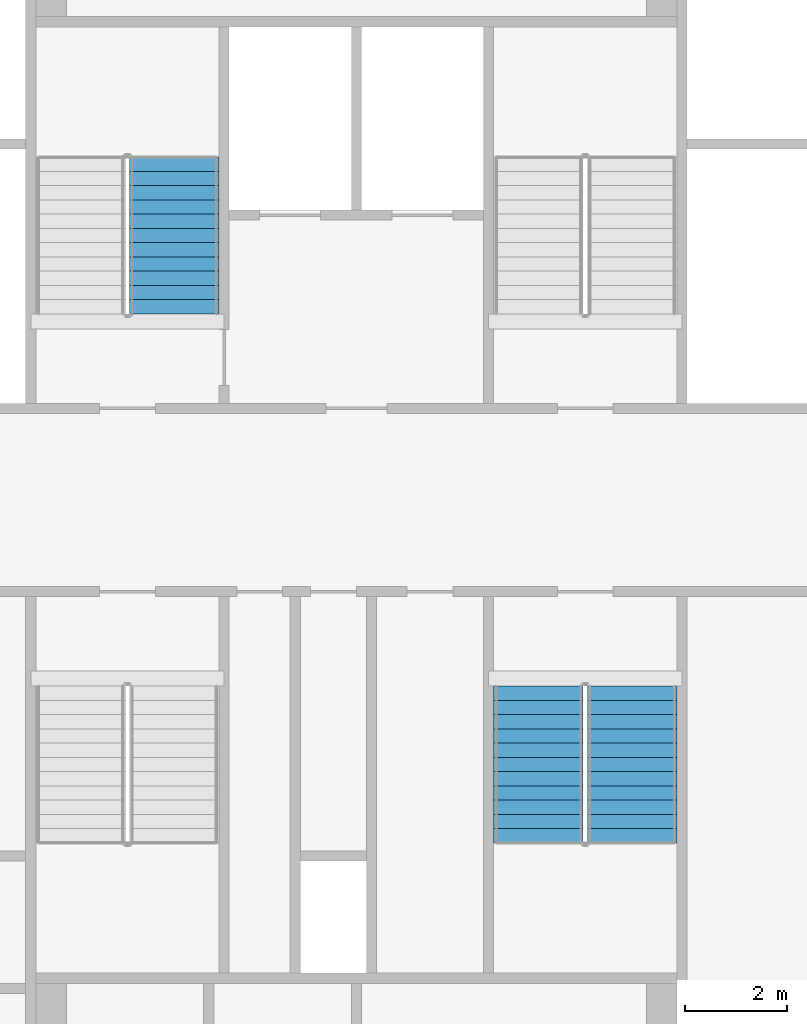
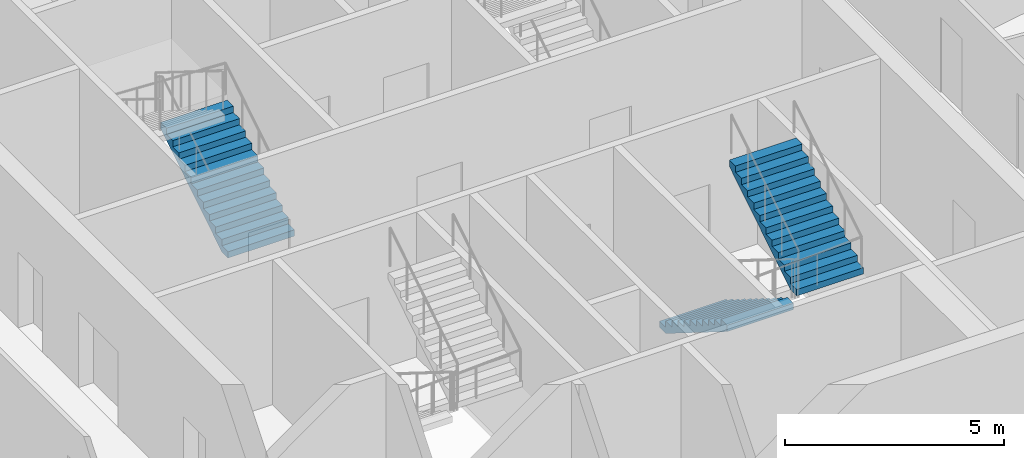
# One storey, part 29 of 35: 3 stair flights, 2 elements without a shape of their own.
"""IFC4 building model written with IfcOpenShell, lengths in metres."""

from ifc_helpers import new_model, si_unit, direction, frame, origin, place, context, subcontext, project, spatial, faceted_brep, material, type_object, element, aggregate, save


model = new_model("IFC4")

# Units and contexts
model_context = context("Model", 3, precision=1e-05, world=origin(), true_north=direction((0.0, 1.0)))
body_context = subcontext(model_context, "Body", "Model", "MODEL_VIEW")
ifc_project = project(units=[si_unit("LENGTHUNIT", "METRE"), si_unit("AREAUNIT", "SQUARE_METRE"), si_unit("VOLUMEUNIT", "CUBIC_METRE"), si_unit("PLANEANGLEUNIT", "RADIAN"), si_unit("MASSUNIT", "GRAM", prefix="KILO")], contexts=[model_context])

# Site, building, storey
site_placement = place(None, origin())
site = spatial("IfcSite", under=ifc_project, at=site_placement, CompositionType="ELEMENT")
building_placement = place(site_placement, origin())
building = spatial("IfcBuilding", under=site, at=building_placement, Name="Tarsis Ring Headquarters", CompositionType="ELEMENT")
storey_placement = place(building_placement, frame((0.0, 0.0, 360.800048828125)))
storey = spatial("IfcBuildingStorey", under=building, at=storey_placement, Name="L85", CompositionType="ELEMENT", Elevation=360.800048828125)

# Stair, stair flight
ifc_material_1 = material(Name="Core stair 1760")
stair_type = type_object("IfcStairType", Name="Core stair 1760", PredefinedType="HALF_TURN_STAIR", material=ifc_material_1)
stair_1_placement = place(storey_placement, origin())
stair_1 = element("IfcStair", 1, at=stair_1_placement, inside=storey, type_object=stair_type, Name="L85 Firefighting stair", PredefinedType="HALF_TURN_STAIR")
ifc_material_2 = material(Name="Concrete C40/50", Category="concrete")
stair_flight_type = type_object("IfcStairFlightType", Name="Core stair flight 1760", PredefinedType="STRAIGHT", material=ifc_material_2)
stair_flight_1_placement = place(storey_placement, frame((-3.580078125, 3.659912109375, 0.0), z_axis=(0.0, 0.0, 1.0), x_axis=(0.0, 1.0, 0.0)))
stair_flight_1 = element("IfcStairFlight", 2, at=stair_flight_1_placement, type_object=stair_flight_type, Name="Stair ST1 flight 1", NumberOfRisers=12, NumberOfTreads=11, PredefinedType="STRAIGHT", RiserHeight=0.175, TreadLength=0.28, context=body_context, shape_type="Brep", body=[
    faceted_brep([(0.0, 0.8798828125, 0.0), (0.0, 0.8798828125, 0.175048828125), (0.280029296875, 0.8798828125, 0.175048828125), (0.280029296875, 0.8798828125, 0.35009765625), (0.56005859375, 0.8798828125, 0.35009765625), (0.56005859375, 0.8798828125, 0.52490234375), (0.840087890625, 0.8798828125, 0.52490234375), (0.840087890625, 0.8798828125, 0.699951171875), (1.1201171875, 0.8798828125, 0.699951171875), (1.1201171875, 0.8798828125, 0.875), (1.39990234375, 0.8798828125, 0.875), (1.39990234375, 0.8798828125, 1.050048828125), (1.679931640625, 0.8798828125, 1.050048828125), (1.679931640625, 0.8798828125, 1.22509765625), (1.9599609375, 0.8798828125, 1.22509765625), (1.9599609375, 0.8798828125, 1.39990234375), (2.239990234375, 0.8798828125, 1.39990234375), (2.239990234375, 0.8798828125, 1.574951171875), (2.52001953125, 0.8798828125, 1.574951171875), (2.52001953125, 0.8798828125, 1.75), (2.800048828125, 0.8798828125, 1.75), (2.800048828125, 0.8798828125, 1.925048828125), (3.080078125, 0.8798828125, 1.925048828125), (3.080078125, 0.8798828125, 1.748291015625), (0.28271484375, 0.8798828125, 0.0), (0.28271484375, -0.8798828125, 0.0), (3.080078125, -0.8798828125, 1.748291015625), (3.080078125, -0.8798828125, 1.925048828125), (2.800048828125, -0.8798828125, 1.925048828125), (2.800048828125, -0.8798828125, 1.75), (2.52001953125, -0.8798828125, 1.75), (2.52001953125, -0.8798828125, 1.574951171875), (2.239990234375, -0.8798828125, 1.574951171875), (2.239990234375, -0.8798828125, 1.39990234375), (1.9599609375, -0.8798828125, 1.39990234375), (1.9599609375, -0.8798828125, 1.22509765625), (1.679931640625, -0.8798828125, 1.22509765625), (1.679931640625, -0.8798828125, 1.050048828125), (1.39990234375, -0.8798828125, 1.050048828125), (1.39990234375, -0.8798828125, 0.875), (1.1201171875, -0.8798828125, 0.875), (1.1201171875, -0.8798828125, 0.699951171875), (0.840087890625, -0.8798828125, 0.699951171875), (0.840087890625, -0.8798828125, 0.52490234375), (0.56005859375, -0.8798828125, 0.52490234375), (0.56005859375, -0.8798828125, 0.35009765625), (0.280029296875, -0.8798828125, 0.35009765625), (0.280029296875, -0.8798828125, 0.175048828125), (0.0, -0.8798828125, 0.175048828125), (0.0, -0.8798828125, 0.0), (0.0, -0.43994140625, 0.175048828125), (0.0, -0.43994140625, 0.0), (0.0, 0.0, 0.175048828125), (0.0, 0.0, 0.0), (0.0, 0.43994140625, 0.175048828125), (0.0, 0.43994140625, 0.0), (0.280029296875, -0.43994140625, 0.175048828125), (0.280029296875, 0.0, 0.175048828125), (0.280029296875, 0.43994140625, 0.175048828125), (0.280029296875, -0.43994140625, 0.35009765625), (0.280029296875, 0.0, 0.35009765625), (0.280029296875, 0.43994140625, 0.35009765625), (0.56005859375, -0.43994140625, 0.35009765625), (0.56005859375, 0.0, 0.35009765625), (0.56005859375, 0.43994140625, 0.35009765625), (0.56005859375, -0.43994140625, 0.52490234375), (0.56005859375, 0.0, 0.52490234375), (0.56005859375, 0.43994140625, 0.52490234375), (0.840087890625, -0.43994140625, 0.52490234375), (0.840087890625, 0.0, 0.52490234375), (0.840087890625, 0.43994140625, 0.52490234375), (0.840087890625, -0.43994140625, 0.699951171875), (0.840087890625, 0.0, 0.699951171875), (0.840087890625, 0.43994140625, 0.699951171875), (1.1201171875, -0.43994140625, 0.699951171875), (1.1201171875, 0.0, 0.699951171875), (1.1201171875, 0.43994140625, 0.699951171875), (1.1201171875, -0.43994140625, 0.875), (1.1201171875, 0.0, 0.875), (1.1201171875, 0.43994140625, 0.875), (1.39990234375, -0.43994140625, 0.875), (1.39990234375, 0.0, 0.875), (1.39990234375, 0.43994140625, 0.875), (1.39990234375, -0.43994140625, 1.050048828125), (1.39990234375, 0.0, 1.050048828125), (1.39990234375, 0.43994140625, 1.050048828125), (1.679931640625, -0.43994140625, 1.050048828125), (1.679931640625, 0.0, 1.050048828125), (1.679931640625, 0.43994140625, 1.050048828125), (1.679931640625, -0.43994140625, 1.22509765625), (1.679931640625, 0.0, 1.22509765625), (1.679931640625, 0.43994140625, 1.22509765625), (1.9599609375, -0.43994140625, 1.22509765625), (1.9599609375, 0.0, 1.22509765625), (1.9599609375, 0.43994140625, 1.22509765625), (1.9599609375, -0.43994140625, 1.39990234375), (1.9599609375, 0.0, 1.39990234375), (1.9599609375, 0.43994140625, 1.39990234375), (2.239990234375, -0.43994140625, 1.39990234375), (2.239990234375, 0.0, 1.39990234375), (2.239990234375, 0.43994140625, 1.39990234375), (2.239990234375, -0.43994140625, 1.574951171875), (2.239990234375, 0.0, 1.574951171875), (2.239990234375, 0.43994140625, 1.574951171875), (2.52001953125, -0.43994140625, 1.574951171875), (2.52001953125, 0.0, 1.574951171875), (2.52001953125, 0.43994140625, 1.574951171875), (2.52001953125, -0.43994140625, 1.75), (2.52001953125, 0.0, 1.75), (2.52001953125, 0.43994140625, 1.75), (2.800048828125, -0.43994140625, 1.75), (2.800048828125, 0.0, 1.75), (2.800048828125, 0.43994140625, 1.75), (2.800048828125, -0.43994140625, 1.925048828125), (2.800048828125, 0.0, 1.925048828125), (2.800048828125, 0.43994140625, 1.925048828125), (3.080078125, -0.43994140625, 1.925048828125), (3.080078125, 0.0, 1.925048828125), (3.080078125, 0.43994140625, 1.925048828125), (3.080078125, -0.43994140625, 1.748291015625), (3.080078125, 0.0, 1.748291015625), (3.080078125, 0.43994140625, 1.748291015625), (0.28271484375, -0.43994140625, 0.0), (0.28271484375, 0.0, 0.0), (0.28271484375, 0.43994140625, 0.0)], [[[0, 1, 2, 3, 4, 5, 6, 7, 8, 9, 10, 11, 12, 13, 14, 15, 16, 17, 18, 19, 20, 21, 22, 23, 24]], [[25, 26, 27, 28, 29, 30, 31, 32, 33, 34, 35, 36, 37, 38, 39, 40, 41, 42, 43, 44, 45, 46, 47, 48, 49]], [[49, 48, 50, 51]], [[51, 50, 52, 53]], [[53, 52, 54, 55]], [[55, 54, 1, 0]], [[48, 47, 56, 50]], [[50, 56, 57, 52]], [[52, 57, 58, 54]], [[54, 58, 2, 1]], [[47, 46, 59, 56]], [[56, 59, 60, 57]], [[57, 60, 61, 58]], [[58, 61, 3, 2]], [[46, 45, 62, 59]], [[59, 62, 63, 60]], [[60, 63, 64, 61]], [[61, 64, 4, 3]], [[45, 44, 65, 62]], [[62, 65, 66, 63]], [[63, 66, 67, 64]], [[64, 67, 5, 4]], [[44, 43, 68, 65]], [[65, 68, 69, 66]], [[66, 69, 70, 67]], [[67, 70, 6, 5]], [[43, 42, 71, 68]], [[68, 71, 72, 69]], [[69, 72, 73, 70]], [[70, 73, 7, 6]], [[42, 41, 74, 71]], [[71, 74, 75, 72]], [[72, 75, 76, 73]], [[73, 76, 8, 7]], [[41, 40, 77, 74]], [[74, 77, 78, 75]], [[75, 78, 79, 76]], [[76, 79, 9, 8]], [[40, 39, 80, 77]], [[77, 80, 81, 78]], [[78, 81, 82, 79]], [[79, 82, 10, 9]], [[39, 38, 83, 80]], [[80, 83, 84, 81]], [[81, 84, 85, 82]], [[82, 85, 11, 10]], [[38, 37, 86, 83]], [[83, 86, 87, 84]], [[84, 87, 88, 85]], [[85, 88, 12, 11]], [[37, 36, 89, 86]], [[86, 89, 90, 87]], [[87, 90, 91, 88]], [[88, 91, 13, 12]], [[36, 35, 92, 89]], [[89, 92, 93, 90]], [[90, 93, 94, 91]], [[91, 94, 14, 13]], [[35, 34, 95, 92]], [[92, 95, 96, 93]], [[93, 96, 97, 94]], [[94, 97, 15, 14]], [[34, 33, 98, 95]], [[95, 98, 99, 96]], [[96, 99, 100, 97]], [[97, 100, 16, 15]], [[33, 32, 101, 98]], [[98, 101, 102, 99]], [[99, 102, 103, 100]], [[100, 103, 17, 16]], [[32, 31, 104, 101]], [[101, 104, 105, 102]], [[102, 105, 106, 103]], [[103, 106, 18, 17]], [[31, 30, 107, 104]], [[104, 107, 108, 105]], [[105, 108, 109, 106]], [[106, 109, 19, 18]], [[30, 29, 110, 107]], [[107, 110, 111, 108]], [[108, 111, 112, 109]], [[109, 112, 20, 19]], [[29, 28, 113, 110]], [[110, 113, 114, 111]], [[111, 114, 115, 112]], [[112, 115, 21, 20]], [[28, 27, 116, 113]], [[113, 116, 117, 114]], [[114, 117, 118, 115]], [[115, 118, 22, 21]], [[27, 26, 119, 116]], [[116, 119, 120, 117]], [[117, 120, 121, 118]], [[118, 121, 23, 22]], [[26, 25, 122, 119]], [[119, 122, 123, 120]], [[120, 123, 124, 121]], [[121, 124, 24, 23]], [[25, 49, 51, 122]], [[122, 51, 53, 123]], [[123, 53, 55, 124]], [[124, 55, 0, 24]]]),
])
aggregate(stair_1, [stair_flight_1])

# Stair, stair flights
stair_2_placement = place(storey_placement, origin())
stair_2 = element("IfcStair", 3, at=stair_2_placement, inside=storey, type_object=stair_type, Name="L85 Exit stair D", PredefinedType="HALF_TURN_STAIR")
stair_flight_2_placement = place(storey_placement, frame((3.580078125, -3.659912109375, 0.0), z_axis=(0.0, 0.0, 1.0), x_axis=(0.0, -1.0, 0.0)))
stair_flight_2 = element("IfcStairFlight", 4, at=stair_flight_2_placement, type_object=stair_flight_type, Name="Stair ST4 flight 1", NumberOfRisers=12, NumberOfTreads=11, PredefinedType="STRAIGHT", RiserHeight=0.175, TreadLength=0.28, context=body_context, shape_type="Brep", body=[
    faceted_brep([(0.0, 0.8798828125, 0.0), (0.0, 0.8798828125, 0.175048828125), (0.280029296875, 0.8798828125, 0.175048828125), (0.280029296875, 0.8798828125, 0.35009765625), (0.56005859375, 0.8798828125, 0.35009765625), (0.56005859375, 0.8798828125, 0.52490234375), (0.840087890625, 0.8798828125, 0.52490234375), (0.840087890625, 0.8798828125, 0.699951171875), (1.1201171875, 0.8798828125, 0.699951171875), (1.1201171875, 0.8798828125, 0.875), (1.39990234375, 0.8798828125, 0.875), (1.39990234375, 0.8798828125, 1.050048828125), (1.679931640625, 0.8798828125, 1.050048828125), (1.679931640625, 0.8798828125, 1.22509765625), (1.9599609375, 0.8798828125, 1.22509765625), (1.9599609375, 0.8798828125, 1.39990234375), (2.239990234375, 0.8798828125, 1.39990234375), (2.239990234375, 0.8798828125, 1.574951171875), (2.52001953125, 0.8798828125, 1.574951171875), (2.52001953125, 0.8798828125, 1.75), (2.800048828125, 0.8798828125, 1.75), (2.800048828125, 0.8798828125, 1.925048828125), (3.080078125, 0.8798828125, 1.925048828125), (3.080078125, 0.8798828125, 1.748291015625), (0.28271484375, 0.8798828125, 0.0), (0.28271484375, -0.8798828125, 0.0), (3.080078125, -0.8798828125, 1.748291015625), (3.080078125, -0.8798828125, 1.925048828125), (2.800048828125, -0.8798828125, 1.925048828125), (2.800048828125, -0.8798828125, 1.75), (2.52001953125, -0.8798828125, 1.75), (2.52001953125, -0.8798828125, 1.574951171875), (2.239990234375, -0.8798828125, 1.574951171875), (2.239990234375, -0.8798828125, 1.39990234375), (1.9599609375, -0.8798828125, 1.39990234375), (1.9599609375, -0.8798828125, 1.22509765625), (1.679931640625, -0.8798828125, 1.22509765625), (1.679931640625, -0.8798828125, 1.050048828125), (1.39990234375, -0.8798828125, 1.050048828125), (1.39990234375, -0.8798828125, 0.875), (1.1201171875, -0.8798828125, 0.875), (1.1201171875, -0.8798828125, 0.699951171875), (0.840087890625, -0.8798828125, 0.699951171875), (0.840087890625, -0.8798828125, 0.52490234375), (0.56005859375, -0.8798828125, 0.52490234375), (0.56005859375, -0.8798828125, 0.35009765625), (0.280029296875, -0.8798828125, 0.35009765625), (0.280029296875, -0.8798828125, 0.175048828125), (0.0, -0.8798828125, 0.175048828125), (0.0, -0.8798828125, 0.0), (0.0, -0.43994140625, 0.175048828125), (0.0, -0.43994140625, 0.0), (0.0, 0.0, 0.175048828125), (0.0, 0.0, 0.0), (0.0, 0.43994140625, 0.175048828125), (0.0, 0.43994140625, 0.0), (0.280029296875, -0.43994140625, 0.175048828125), (0.280029296875, 0.0, 0.175048828125), (0.280029296875, 0.43994140625, 0.175048828125), (0.280029296875, -0.43994140625, 0.35009765625), (0.280029296875, 0.0, 0.35009765625), (0.280029296875, 0.43994140625, 0.35009765625), (0.56005859375, -0.43994140625, 0.35009765625), (0.56005859375, 0.0, 0.35009765625), (0.56005859375, 0.43994140625, 0.35009765625), (0.56005859375, -0.43994140625, 0.52490234375), (0.56005859375, 0.0, 0.52490234375), (0.56005859375, 0.43994140625, 0.52490234375), (0.840087890625, -0.43994140625, 0.52490234375), (0.840087890625, 0.0, 0.52490234375), (0.840087890625, 0.43994140625, 0.52490234375), (0.840087890625, -0.43994140625, 0.699951171875), (0.840087890625, 0.0, 0.699951171875), (0.840087890625, 0.43994140625, 0.699951171875), (1.1201171875, -0.43994140625, 0.699951171875), (1.1201171875, 0.0, 0.699951171875), (1.1201171875, 0.43994140625, 0.699951171875), (1.1201171875, -0.43994140625, 0.875), (1.1201171875, 0.0, 0.875), (1.1201171875, 0.43994140625, 0.875), (1.39990234375, -0.43994140625, 0.875), (1.39990234375, 0.0, 0.875), (1.39990234375, 0.43994140625, 0.875), (1.39990234375, -0.43994140625, 1.050048828125), (1.39990234375, 0.0, 1.050048828125), (1.39990234375, 0.43994140625, 1.050048828125), (1.679931640625, -0.43994140625, 1.050048828125), (1.679931640625, 0.0, 1.050048828125), (1.679931640625, 0.43994140625, 1.050048828125), (1.679931640625, -0.43994140625, 1.22509765625), (1.679931640625, 0.0, 1.22509765625), (1.679931640625, 0.43994140625, 1.22509765625), (1.9599609375, -0.43994140625, 1.22509765625), (1.9599609375, 0.0, 1.22509765625), (1.9599609375, 0.43994140625, 1.22509765625), (1.9599609375, -0.43994140625, 1.39990234375), (1.9599609375, 0.0, 1.39990234375), (1.9599609375, 0.43994140625, 1.39990234375), (2.239990234375, -0.43994140625, 1.39990234375), (2.239990234375, 0.0, 1.39990234375), (2.239990234375, 0.43994140625, 1.39990234375), (2.239990234375, -0.43994140625, 1.574951171875), (2.239990234375, 0.0, 1.574951171875), (2.239990234375, 0.43994140625, 1.574951171875), (2.52001953125, -0.43994140625, 1.574951171875), (2.52001953125, 0.0, 1.574951171875), (2.52001953125, 0.43994140625, 1.574951171875), (2.52001953125, -0.43994140625, 1.75), (2.52001953125, 0.0, 1.75), (2.52001953125, 0.43994140625, 1.75), (2.800048828125, -0.43994140625, 1.75), (2.800048828125, 0.0, 1.75), (2.800048828125, 0.43994140625, 1.75), (2.800048828125, -0.43994140625, 1.925048828125), (2.800048828125, 0.0, 1.925048828125), (2.800048828125, 0.43994140625, 1.925048828125), (3.080078125, -0.43994140625, 1.925048828125), (3.080078125, 0.0, 1.925048828125), (3.080078125, 0.43994140625, 1.925048828125), (3.080078125, -0.43994140625, 1.748291015625), (3.080078125, 0.0, 1.748291015625), (3.080078125, 0.43994140625, 1.748291015625), (0.28271484375, -0.43994140625, 0.0), (0.28271484375, 0.0, 0.0), (0.28271484375, 0.43994140625, 0.0)], [[[0, 1, 2, 3, 4, 5, 6, 7, 8, 9, 10, 11, 12, 13, 14, 15, 16, 17, 18, 19, 20, 21, 22, 23, 24]], [[25, 26, 27, 28, 29, 30, 31, 32, 33, 34, 35, 36, 37, 38, 39, 40, 41, 42, 43, 44, 45, 46, 47, 48, 49]], [[49, 48, 50, 51]], [[51, 50, 52, 53]], [[53, 52, 54, 55]], [[55, 54, 1, 0]], [[48, 47, 56, 50]], [[50, 56, 57, 52]], [[52, 57, 58, 54]], [[54, 58, 2, 1]], [[47, 46, 59, 56]], [[56, 59, 60, 57]], [[57, 60, 61, 58]], [[58, 61, 3, 2]], [[46, 45, 62, 59]], [[59, 62, 63, 60]], [[60, 63, 64, 61]], [[61, 64, 4, 3]], [[45, 44, 65, 62]], [[62, 65, 66, 63]], [[63, 66, 67, 64]], [[64, 67, 5, 4]], [[44, 43, 68, 65]], [[65, 68, 69, 66]], [[66, 69, 70, 67]], [[67, 70, 6, 5]], [[43, 42, 71, 68]], [[68, 71, 72, 69]], [[69, 72, 73, 70]], [[70, 73, 7, 6]], [[42, 41, 74, 71]], [[71, 74, 75, 72]], [[72, 75, 76, 73]], [[73, 76, 8, 7]], [[41, 40, 77, 74]], [[74, 77, 78, 75]], [[75, 78, 79, 76]], [[76, 79, 9, 8]], [[40, 39, 80, 77]], [[77, 80, 81, 78]], [[78, 81, 82, 79]], [[79, 82, 10, 9]], [[39, 38, 83, 80]], [[80, 83, 84, 81]], [[81, 84, 85, 82]], [[82, 85, 11, 10]], [[38, 37, 86, 83]], [[83, 86, 87, 84]], [[84, 87, 88, 85]], [[85, 88, 12, 11]], [[37, 36, 89, 86]], [[86, 89, 90, 87]], [[87, 90, 91, 88]], [[88, 91, 13, 12]], [[36, 35, 92, 89]], [[89, 92, 93, 90]], [[90, 93, 94, 91]], [[91, 94, 14, 13]], [[35, 34, 95, 92]], [[92, 95, 96, 93]], [[93, 96, 97, 94]], [[94, 97, 15, 14]], [[34, 33, 98, 95]], [[95, 98, 99, 96]], [[96, 99, 100, 97]], [[97, 100, 16, 15]], [[33, 32, 101, 98]], [[98, 101, 102, 99]], [[99, 102, 103, 100]], [[100, 103, 17, 16]], [[32, 31, 104, 101]], [[101, 104, 105, 102]], [[102, 105, 106, 103]], [[103, 106, 18, 17]], [[31, 30, 107, 104]], [[104, 107, 108, 105]], [[105, 108, 109, 106]], [[106, 109, 19, 18]], [[30, 29, 110, 107]], [[107, 110, 111, 108]], [[108, 111, 112, 109]], [[109, 112, 20, 19]], [[29, 28, 113, 110]], [[110, 113, 114, 111]], [[111, 114, 115, 112]], [[112, 115, 21, 20]], [[28, 27, 116, 113]], [[113, 116, 117, 114]], [[114, 117, 118, 115]], [[115, 118, 22, 21]], [[27, 26, 119, 116]], [[116, 119, 120, 117]], [[117, 120, 121, 118]], [[118, 121, 23, 22]], [[26, 25, 122, 119]], [[119, 122, 123, 120]], [[120, 123, 124, 121]], [[121, 124, 24, 23]], [[25, 49, 51, 122]], [[122, 51, 53, 123]], [[123, 53, 55, 124]], [[124, 55, 0, 24]]]),
])
stair_flight_3_placement = place(storey_placement, frame((5.419921875, -6.739990234375, 2.099853515625), z_axis=(0.0, 0.0, 1.0), x_axis=(0.0, 1.0, 0.0)))
stair_flight_3 = element("IfcStairFlight", 5, at=stair_flight_3_placement, type_object=stair_flight_type, Name="Stair ST4 flight 2", NumberOfRisers=12, NumberOfTreads=11, PredefinedType="STRAIGHT", RiserHeight=0.175, TreadLength=0.28, context=body_context, shape_type="Brep", body=[
    faceted_brep([(0.0, 0.8798828125, 0.0), (0.0, 0.8798828125, 0.175048828125), (0.280029296875, 0.8798828125, 0.175048828125), (0.280029296875, 0.8798828125, 0.35009765625), (0.56005859375, 0.8798828125, 0.35009765625), (0.56005859375, 0.8798828125, 0.52490234375), (0.840087890625, 0.8798828125, 0.52490234375), (0.840087890625, 0.8798828125, 0.699951171875), (1.1201171875, 0.8798828125, 0.699951171875), (1.1201171875, 0.8798828125, 0.875), (1.39990234375, 0.8798828125, 0.875), (1.39990234375, 0.8798828125, 1.050048828125), (1.679931640625, 0.8798828125, 1.050048828125), (1.679931640625, 0.8798828125, 1.22509765625), (1.9599609375, 0.8798828125, 1.22509765625), (1.9599609375, 0.8798828125, 1.39990234375), (2.239990234375, 0.8798828125, 1.39990234375), (2.239990234375, 0.8798828125, 1.574951171875), (2.52001953125, 0.8798828125, 1.574951171875), (2.52001953125, 0.8798828125, 1.75), (2.800048828125, 0.8798828125, 1.75), (2.800048828125, 0.8798828125, 1.925048828125), (3.080078125, 0.8798828125, 1.925048828125), (3.080078125, 0.8798828125, 1.748291015625), (0.28271484375, 0.8798828125, 0.0), (0.28271484375, -0.8798828125, 0.0), (3.080078125, -0.8798828125, 1.748291015625), (3.080078125, -0.8798828125, 1.925048828125), (2.800048828125, -0.8798828125, 1.925048828125), (2.800048828125, -0.8798828125, 1.75), (2.52001953125, -0.8798828125, 1.75), (2.52001953125, -0.8798828125, 1.574951171875), (2.239990234375, -0.8798828125, 1.574951171875), (2.239990234375, -0.8798828125, 1.39990234375), (1.9599609375, -0.8798828125, 1.39990234375), (1.9599609375, -0.8798828125, 1.22509765625), (1.679931640625, -0.8798828125, 1.22509765625), (1.679931640625, -0.8798828125, 1.050048828125), (1.39990234375, -0.8798828125, 1.050048828125), (1.39990234375, -0.8798828125, 0.875), (1.1201171875, -0.8798828125, 0.875), (1.1201171875, -0.8798828125, 0.699951171875), (0.840087890625, -0.8798828125, 0.699951171875), (0.840087890625, -0.8798828125, 0.52490234375), (0.56005859375, -0.8798828125, 0.52490234375), (0.56005859375, -0.8798828125, 0.35009765625), (0.280029296875, -0.8798828125, 0.35009765625), (0.280029296875, -0.8798828125, 0.175048828125), (0.0, -0.8798828125, 0.175048828125), (0.0, -0.8798828125, 0.0), (0.0, -0.43994140625, 0.175048828125), (0.0, -0.43994140625, 0.0), (0.0, 0.0, 0.175048828125), (0.0, 0.0, 0.0), (0.0, 0.43994140625, 0.175048828125), (0.0, 0.43994140625, 0.0), (0.280029296875, -0.43994140625, 0.175048828125), (0.280029296875, 0.0, 0.175048828125), (0.280029296875, 0.43994140625, 0.175048828125), (0.280029296875, -0.43994140625, 0.35009765625), (0.280029296875, 0.0, 0.35009765625), (0.280029296875, 0.43994140625, 0.35009765625), (0.56005859375, -0.43994140625, 0.35009765625), (0.56005859375, 0.0, 0.35009765625), (0.56005859375, 0.43994140625, 0.35009765625), (0.56005859375, -0.43994140625, 0.52490234375), (0.56005859375, 0.0, 0.52490234375), (0.56005859375, 0.43994140625, 0.52490234375), (0.840087890625, -0.43994140625, 0.52490234375), (0.840087890625, 0.0, 0.52490234375), (0.840087890625, 0.43994140625, 0.52490234375), (0.840087890625, -0.43994140625, 0.699951171875), (0.840087890625, 0.0, 0.699951171875), (0.840087890625, 0.43994140625, 0.699951171875), (1.1201171875, -0.43994140625, 0.699951171875), (1.1201171875, 0.0, 0.699951171875), (1.1201171875, 0.43994140625, 0.699951171875), (1.1201171875, -0.43994140625, 0.875), (1.1201171875, 0.0, 0.875), (1.1201171875, 0.43994140625, 0.875), (1.39990234375, -0.43994140625, 0.875), (1.39990234375, 0.0, 0.875), (1.39990234375, 0.43994140625, 0.875), (1.39990234375, -0.43994140625, 1.050048828125), (1.39990234375, 0.0, 1.050048828125), (1.39990234375, 0.43994140625, 1.050048828125), (1.679931640625, -0.43994140625, 1.050048828125), (1.679931640625, 0.0, 1.050048828125), (1.679931640625, 0.43994140625, 1.050048828125), (1.679931640625, -0.43994140625, 1.22509765625), (1.679931640625, 0.0, 1.22509765625), (1.679931640625, 0.43994140625, 1.22509765625), (1.9599609375, -0.43994140625, 1.22509765625), (1.9599609375, 0.0, 1.22509765625), (1.9599609375, 0.43994140625, 1.22509765625), (1.9599609375, -0.43994140625, 1.39990234375), (1.9599609375, 0.0, 1.39990234375), (1.9599609375, 0.43994140625, 1.39990234375), (2.239990234375, -0.43994140625, 1.39990234375), (2.239990234375, 0.0, 1.39990234375), (2.239990234375, 0.43994140625, 1.39990234375), (2.239990234375, -0.43994140625, 1.574951171875), (2.239990234375, 0.0, 1.574951171875), (2.239990234375, 0.43994140625, 1.574951171875), (2.52001953125, -0.43994140625, 1.574951171875), (2.52001953125, 0.0, 1.574951171875), (2.52001953125, 0.43994140625, 1.574951171875), (2.52001953125, -0.43994140625, 1.75), (2.52001953125, 0.0, 1.75), (2.52001953125, 0.43994140625, 1.75), (2.800048828125, -0.43994140625, 1.75), (2.800048828125, 0.0, 1.75), (2.800048828125, 0.43994140625, 1.75), (2.800048828125, -0.43994140625, 1.925048828125), (2.800048828125, 0.0, 1.925048828125), (2.800048828125, 0.43994140625, 1.925048828125), (3.080078125, -0.43994140625, 1.925048828125), (3.080078125, 0.0, 1.925048828125), (3.080078125, 0.43994140625, 1.925048828125), (3.080078125, -0.43994140625, 1.748291015625), (3.080078125, 0.0, 1.748291015625), (3.080078125, 0.43994140625, 1.748291015625), (0.28271484375, -0.43994140625, 0.0), (0.28271484375, 0.0, 0.0), (0.28271484375, 0.43994140625, 0.0)], [[[0, 1, 2, 3, 4, 5, 6, 7, 8, 9, 10, 11, 12, 13, 14, 15, 16, 17, 18, 19, 20, 21, 22, 23, 24]], [[25, 26, 27, 28, 29, 30, 31, 32, 33, 34, 35, 36, 37, 38, 39, 40, 41, 42, 43, 44, 45, 46, 47, 48, 49]], [[49, 48, 50, 51]], [[51, 50, 52, 53]], [[53, 52, 54, 55]], [[55, 54, 1, 0]], [[48, 47, 56, 50]], [[50, 56, 57, 52]], [[52, 57, 58, 54]], [[54, 58, 2, 1]], [[47, 46, 59, 56]], [[56, 59, 60, 57]], [[57, 60, 61, 58]], [[58, 61, 3, 2]], [[46, 45, 62, 59]], [[59, 62, 63, 60]], [[60, 63, 64, 61]], [[61, 64, 4, 3]], [[45, 44, 65, 62]], [[62, 65, 66, 63]], [[63, 66, 67, 64]], [[64, 67, 5, 4]], [[44, 43, 68, 65]], [[65, 68, 69, 66]], [[66, 69, 70, 67]], [[67, 70, 6, 5]], [[43, 42, 71, 68]], [[68, 71, 72, 69]], [[69, 72, 73, 70]], [[70, 73, 7, 6]], [[42, 41, 74, 71]], [[71, 74, 75, 72]], [[72, 75, 76, 73]], [[73, 76, 8, 7]], [[41, 40, 77, 74]], [[74, 77, 78, 75]], [[75, 78, 79, 76]], [[76, 79, 9, 8]], [[40, 39, 80, 77]], [[77, 80, 81, 78]], [[78, 81, 82, 79]], [[79, 82, 10, 9]], [[39, 38, 83, 80]], [[80, 83, 84, 81]], [[81, 84, 85, 82]], [[82, 85, 11, 10]], [[38, 37, 86, 83]], [[83, 86, 87, 84]], [[84, 87, 88, 85]], [[85, 88, 12, 11]], [[37, 36, 89, 86]], [[86, 89, 90, 87]], [[87, 90, 91, 88]], [[88, 91, 13, 12]], [[36, 35, 92, 89]], [[89, 92, 93, 90]], [[90, 93, 94, 91]], [[91, 94, 14, 13]], [[35, 34, 95, 92]], [[92, 95, 96, 93]], [[93, 96, 97, 94]], [[94, 97, 15, 14]], [[34, 33, 98, 95]], [[95, 98, 99, 96]], [[96, 99, 100, 97]], [[97, 100, 16, 15]], [[33, 32, 101, 98]], [[98, 101, 102, 99]], [[99, 102, 103, 100]], [[100, 103, 17, 16]], [[32, 31, 104, 101]], [[101, 104, 105, 102]], [[102, 105, 106, 103]], [[103, 106, 18, 17]], [[31, 30, 107, 104]], [[104, 107, 108, 105]], [[105, 108, 109, 106]], [[106, 109, 19, 18]], [[30, 29, 110, 107]], [[107, 110, 111, 108]], [[108, 111, 112, 109]], [[109, 112, 20, 19]], [[29, 28, 113, 110]], [[110, 113, 114, 111]], [[111, 114, 115, 112]], [[112, 115, 21, 20]], [[28, 27, 116, 113]], [[113, 116, 117, 114]], [[114, 117, 118, 115]], [[115, 118, 22, 21]], [[27, 26, 119, 116]], [[116, 119, 120, 117]], [[117, 120, 121, 118]], [[118, 121, 23, 22]], [[26, 25, 122, 119]], [[119, 122, 123, 120]], [[120, 123, 124, 121]], [[121, 124, 24, 23]], [[25, 49, 51, 122]], [[122, 51, 53, 123]], [[123, 53, 55, 124]], [[124, 55, 0, 24]]]),
])
aggregate(stair_2, [stair_flight_2, stair_flight_3])

save(model, "model.ifc")
